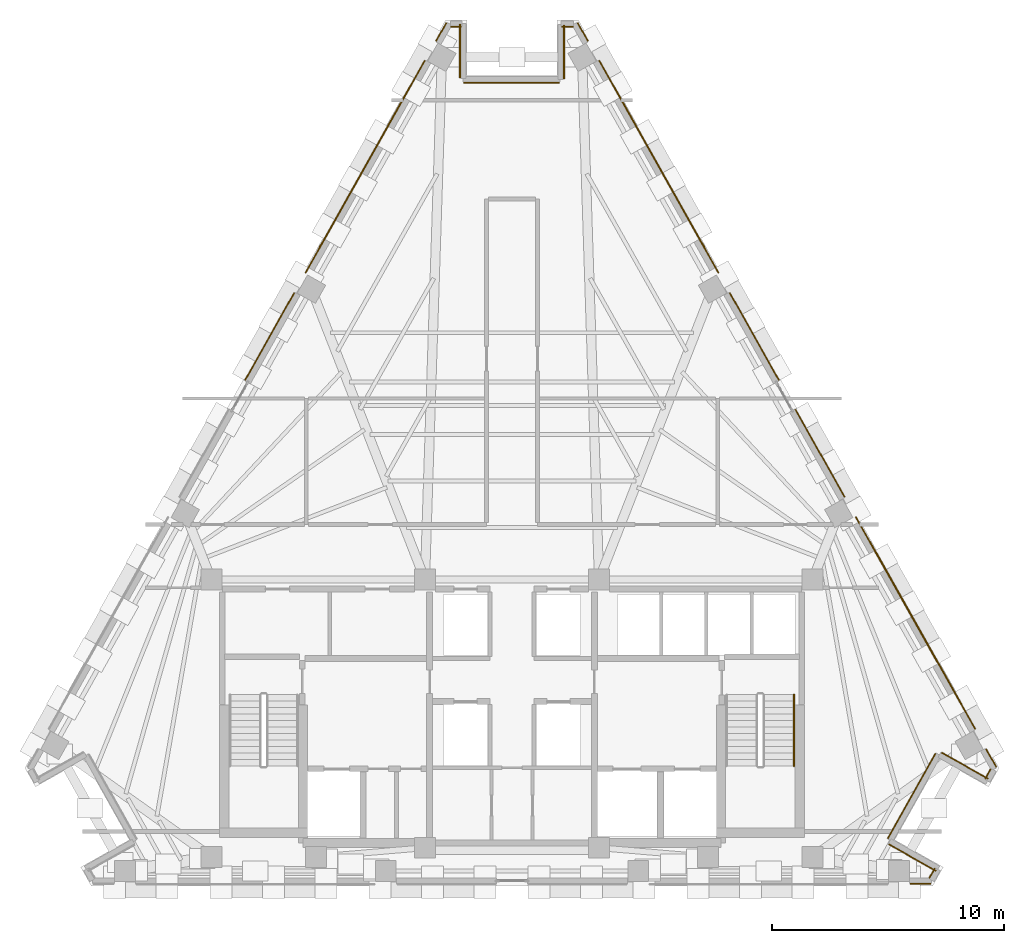
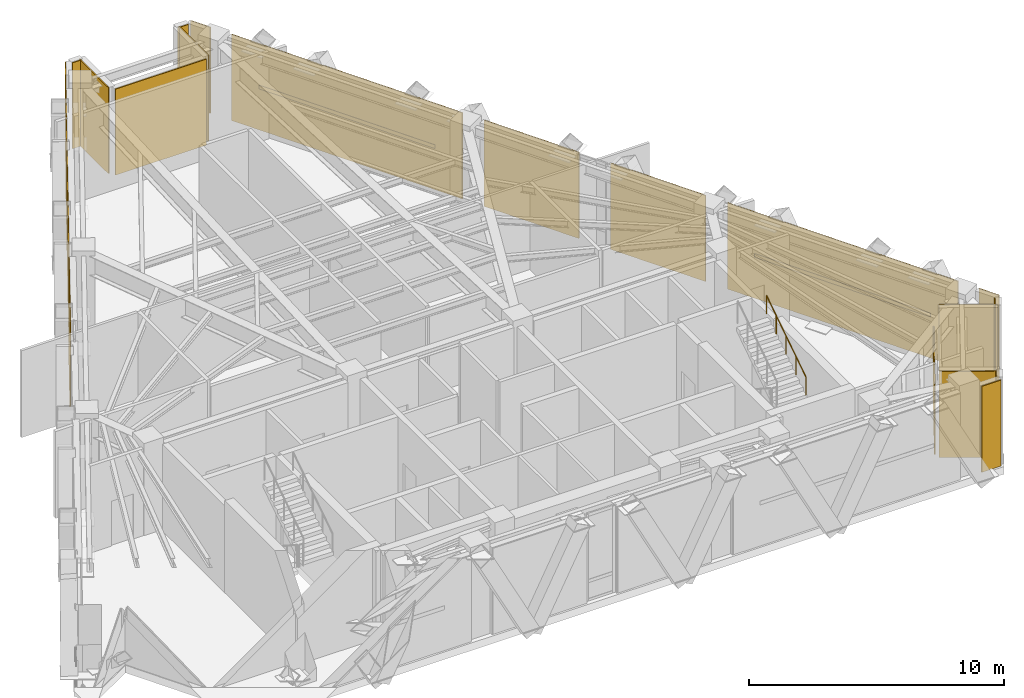
# One storey, part 11 of 11: 20 coverings, 3 shading devices, 1 railing.
"""IFC4 building model written with IfcOpenShell, lengths in metres."""

from ifc_helpers import new_model, si_unit, direction, frame, origin, origin_2d, place, context, subcontext, project, spatial, polyline, rectangle, circle, outline, extrude, material, layer, layer_set, material_profile, profile_set, type_object, element, save


model = new_model("IFC4")

# Units and contexts
model_context = context("Model", 3, precision=1e-05, world=origin(), true_north=direction((0.0, 1.0)))
body_context = subcontext(model_context, "Body", "Model", "MODEL_VIEW")
ifc_project = project(units=[si_unit("LENGTHUNIT", "METRE"), si_unit("AREAUNIT", "SQUARE_METRE"), si_unit("VOLUMEUNIT", "CUBIC_METRE"), si_unit("PLANEANGLEUNIT", "RADIAN"), si_unit("MASSUNIT", "GRAM", prefix="KILO")], contexts=[model_context])

# Site, building, storey
site_placement = place(None, origin())
site = spatial("IfcSite", under=ifc_project, at=site_placement, CompositionType="ELEMENT")
building_placement = place(site_placement, origin())
building = spatial("IfcBuilding", under=site, at=building_placement, Name="Quenlor Broadcast Tower", CompositionType="ELEMENT")
storey_placement = place(building_placement, frame((0.0, 0.0, 179.0)))
storey = spatial("IfcBuildingStorey", under=building, at=storey_placement, Name="L49", CompositionType="ELEMENT", Elevation=179.0)

# Coverings
ifc_material_1 = material(Name="Architectural Terracotta Ceramic", Category="masonry")
ifc_layer = layer(ifc_material_1, 0.044921875)
ifc_layer_set = layer_set([ifc_layer], Name="Fluted Terracotta Rainscreen Cladding Panel")
covering_type = type_object("IfcCoveringType", Name="Fluted Terracotta Rainscreen Cladding Panel", PredefinedType="CLADDING", material=ifc_layer_set)
covering_1_placement = place(storey_placement, frame((0.0, 0.0, 0.02001953125)))
element("IfcCovering", 1, at=covering_1_placement, inside=storey, type_object=covering_type, Name="L49 Terracotta Rainscreen Cladding L49-SHD-SS0", PredefinedType="CLADDING", context=body_context, shape_type="SweptSolid", body=[
    extrude(outline(polyline([(18.035888671875, -17.886962890625), (17.160888671875, -17.886962890625), (17.160888671875, -17.931884765625), (18.035888671875, -17.931884765625), (18.035888671875, -17.886962890625)])), origin(), (0.0, 0.0, 1.0), 4.10986328125),
])
covering_2_placement = place(storey_placement, frame((0.0, 0.0, 0.02001953125)))
element("IfcCovering", 2, at=covering_2_placement, inside=storey, type_object=covering_type, Name="L49 Terracotta Rainscreen Cladding L49-SHD-NES0", PredefinedType="CLADDING", context=body_context, shape_type="SweptSolid", body=[
    extrude(outline(polyline([(2.8076171875, 19.17822265625), (3.250732421875, 18.390380859375), (3.2900390625, 18.412353515625), (2.8466796875, 19.2001953125), (2.8076171875, 19.17822265625)])), origin(), (0.0, 0.0, 1.0), 4.10986328125),
])
covering_3_placement = place(storey_placement, frame((0.0, 0.0, 0.02001953125)))
element("IfcCovering", 3, at=covering_3_placement, inside=storey, type_object=covering_type, Name="L49 Terracotta Rainscreen Cladding L49-SHD-NES1", PredefinedType="CLADDING", context=body_context, shape_type="SweptSolid", body=[
    extrude(outline(polyline([(20.402099609375, -12.10107421875), (20.845458984375, -12.888916015625), (20.884521484375, -12.866943359375), (20.44140625, -12.0791015625), (20.402099609375, -12.10107421875)])), origin(), (0.0, 0.0, 1.0), 4.10986328125),
])
covering_4_placement = place(storey_placement, frame((0.0, 0.0, 0.02001953125)))
element("IfcCovering", 4, at=covering_4_placement, inside=storey, type_object=covering_type, Name="L49 Terracotta Rainscreen Cladding L49-EW-NEA", PredefinedType="CLADDING", context=body_context, shape_type="SweptSolid", body=[
    extrude(outline(polyline([(3.735107421875, 17.5498046875), (8.87841796875, 8.406005859375), (8.917724609375, 8.427978515625), (3.7744140625, 17.572021484375), (3.735107421875, 17.5498046875)])), origin(), (0.0, 0.0, 1.0), 4.10986328125),
])
covering_5_placement = place(storey_placement, frame((0.0, 0.0, 0.02001953125)))
element("IfcCovering", 5, at=covering_5_placement, inside=storey, type_object=covering_type, Name="L49 Terracotta Rainscreen Cladding L49-EW-NEC", PredefinedType="CLADDING", context=body_context, shape_type="SweptSolid", body=[
    extrude(outline(polyline([(14.7919921875, -2.106689453125), (19.935302734375, -11.250732421875), (19.974609375, -11.228759765625), (14.831298828125, -2.084716796875), (14.7919921875, -2.106689453125)])), origin(), (0.0, 0.0, 1.0), 4.10986328125),
])
covering_6_placement = place(storey_placement, frame((0.0, 0.0, 0.02001953125)))
element("IfcCovering", 6, at=covering_6_placement, inside=storey, type_object=covering_type, Name="L49 Terracotta Rainscreen Cladding L49-NE-SP1", PredefinedType="CLADDING", context=body_context, shape_type="SweptSolid", body=[
    extrude(outline(polyline([(9.361328125, 7.54736328125), (11.47998046875, 3.78125), (11.51904296875, 3.80322265625), (9.400634765625, 7.5693359375), (9.361328125, 7.54736328125)])), origin(), (0.0, 0.0, 1.0), 4.10986328125),
])
covering_7_placement = place(storey_placement, frame((0.0, 0.0, 0.02001953125)))
element("IfcCovering", 7, at=covering_7_placement, inside=storey, type_object=covering_type, Name="L49 Terracotta Rainscreen Cladding L49-NE-SP2", PredefinedType="CLADDING", context=body_context, shape_type="SweptSolid", body=[
    extrude(outline(polyline([(12.1904296875, 2.517822265625), (14.30908203125, -1.248291015625), (14.34814453125, -1.226318359375), (12.229736328125, 2.539794921875), (12.1904296875, 2.517822265625)])), origin(), (0.0, 0.0, 1.0), 4.10986328125),
])
covering_8_placement = place(storey_placement, frame((0.0, 0.0, 0.02001953125)))
element("IfcCovering", 8, at=covering_8_placement, inside=storey, type_object=covering_type, Name="L49 Terracotta Rainscreen Cladding L49-SHD-NWS1", PredefinedType="CLADDING", context=body_context, shape_type="SweptSolid", body=[
    extrude(outline(polyline([(-3.250732421875, 18.390380859375), (-2.8076171875, 19.17822265625), (-2.8466796875, 19.2001953125), (-3.2900390625, 18.412353515625), (-3.250732421875, 18.390380859375)])), origin(), (0.0, 0.0, 1.0), 4.10986328125),
])
covering_9_placement = place(storey_placement, frame((0.0, 0.0, 0.02001953125)))
element("IfcCovering", 9, at=covering_9_placement, inside=storey, type_object=covering_type, Name="L49 Terracotta Rainscreen Cladding L49-EW-NWC", PredefinedType="CLADDING", context=body_context, shape_type="SweptSolid", body=[
    extrude(outline(polyline([(-8.87841796875, 8.406005859375), (-3.735107421875, 17.5498046875), (-3.7744140625, 17.572021484375), (-8.917724609375, 8.427978515625), (-8.87841796875, 8.406005859375)])), origin(), (0.0, 0.0, 1.0), 4.10986328125),
])
covering_10_placement = place(storey_placement, frame((0.0, 0.0, 0.02001953125)))
element("IfcCovering", 10, at=covering_10_placement, inside=storey, type_object=covering_type, Name="L49 Terracotta Rainscreen Cladding L49-NW-SP2", PredefinedType="CLADDING", context=body_context, shape_type="SweptSolid", body=[
    extrude(outline(polyline([(-11.47998046875, 3.78125), (-9.361328125, 7.54736328125), (-9.400634765625, 7.5693359375), (-11.51904296875, 3.80322265625), (-11.47998046875, 3.78125)])), origin(), (0.0, 0.0, 1.0), 4.10986328125),
])
covering_11_placement = place(storey_placement, frame((0.0, 0.0, 0.02001953125)))
element("IfcCovering", 11, at=covering_11_placement, inside=storey, type_object=covering_type, Name="L49 Terracotta Rainscreen Cladding L49-CNR-01", PredefinedType="CLADDING", context=body_context, shape_type="SweptSolid", body=[
    extrude(outline(polyline([(18.284912109375, -17.329833984375), (16.245361328125, -16.1826171875), (16.223388671875, -16.2216796875), (18.262939453125, -17.368896484375), (18.284912109375, -17.329833984375)])), origin(), (0.0, 0.0, 1.0), 4.10986328125),
])
covering_12_placement = place(storey_placement, frame((0.0, 0.0, 0.02001953125)))
element("IfcCovering", 12, at=covering_12_placement, inside=storey, type_object=covering_type, Name="L49 Terracotta Rainscreen Cladding L49-CNR-02", PredefinedType="CLADDING", context=body_context, shape_type="SweptSolid", body=[
    extrude(outline(polyline([(16.2109375, -15.954345703125), (18.264892578125, -12.302734375), (18.225830078125, -12.28076171875), (16.171630859375, -15.932373046875), (16.2109375, -15.954345703125)])), origin(), (0.0, 0.0, 1.0), 3.18603515625),
])
covering_13_placement = place(storey_placement, frame((0.0, 0.0, 0.02001953125)))
element("IfcCovering", 13, at=covering_13_placement, inside=storey, type_object=covering_type, Name="L49 Terracotta Rainscreen Cladding L49-CNR-03", PredefinedType="CLADDING", context=body_context, shape_type="SweptSolid", body=[
    extrude(outline(polyline([(18.493408203125, -12.268310546875), (20.497802734375, -13.39599609375), (20.52001953125, -13.356689453125), (18.515380859375, -12.22900390625), (18.493408203125, -12.268310546875)])), origin(), (0.0, 0.0, 1.0), 4.10986328125),
])
covering_14_placement = place(storey_placement, frame((0.0, 0.0, 0.02001953125)))
element("IfcCovering", 14, at=covering_14_placement, inside=storey, type_object=covering_type, Name="L49 Terracotta Rainscreen Cladding L49-CNR-04", PredefinedType="CLADDING", context=body_context, shape_type="SweptSolid", body=[
    extrude(outline(polyline([(20.40576171875, -13.39208984375), (20.64306640625, -12.970458984375), (20.60400390625, -12.948486328125), (20.36669921875, -13.3701171875), (20.40576171875, -13.39208984375)])), origin(), (0.0, 0.0, 1.0), 4.10986328125),
])
covering_15_placement = place(storey_placement, frame((0.0, 0.0, 0.02001953125)))
element("IfcCovering", 15, at=covering_15_placement, inside=storey, type_object=covering_type, Name="L49 Terracotta Rainscreen Cladding L49-CNR-06", PredefinedType="CLADDING", context=body_context, shape_type="SweptSolid", body=[
    extrude(outline(polyline([(2.62841796875, 19.0400390625), (2.13623046875, 19.0400390625), (2.13623046875, 18.9951171875), (2.62841796875, 18.9951171875), (2.62841796875, 19.0400390625)])), origin(), (0.0, 0.0, 1.0), 4.10986328125),
])
covering_16_placement = place(storey_placement, frame((0.0, 0.0, 0.02001953125)))
element("IfcCovering", 16, at=covering_16_placement, inside=storey, type_object=covering_type, Name="L49 Terracotta Rainscreen Cladding L49-CNR-07", PredefinedType="CLADDING", context=body_context, shape_type="SweptSolid", body=[
    extrude(outline(polyline([(2.21826171875, 19.08203125), (2.21826171875, 16.781982421875), (2.26318359375, 16.781982421875), (2.26318359375, 19.08203125), (2.21826171875, 19.08203125)])), origin(), (0.0, 0.0, 1.0), 4.10986328125),
])
covering_17_placement = place(storey_placement, frame((0.0, 0.0, 0.02001953125)))
element("IfcCovering", 17, at=covering_17_placement, inside=storey, type_object=covering_type, Name="L49 Terracotta Rainscreen Cladding L49-CNR-08", PredefinedType="CLADDING", context=body_context, shape_type="SweptSolid", body=[
    extrude(outline(polyline([(2.0361328125, 16.639892578125), (-2.076171875, 16.639892578125), (-2.076171875, 16.594970703125), (2.0361328125, 16.594970703125), (2.0361328125, 16.639892578125)])), origin(), (0.0, 0.0, 1.0), 4.10986328125),
])
covering_18_placement = place(storey_placement, frame((0.0, 0.0, 0.02001953125)))
element("IfcCovering", 18, at=covering_18_placement, inside=storey, type_object=covering_type, Name="L49 Terracotta Rainscreen Cladding L49-CNR-09", PredefinedType="CLADDING", context=body_context, shape_type="SweptSolid", body=[
    extrude(outline(polyline([(-2.21826171875, 16.822021484375), (-2.21826171875, 19.1220703125), (-2.26318359375, 19.1220703125), (-2.26318359375, 16.822021484375), (-2.21826171875, 16.822021484375)])), origin(), (0.0, 0.0, 1.0), 4.10986328125),
])
covering_19_placement = place(storey_placement, frame((0.0, 0.0, 0.02001953125)))
element("IfcCovering", 19, at=covering_19_placement, inside=storey, type_object=covering_type, Name="L49 Terracotta Rainscreen Cladding L49-CNR-10", PredefinedType="CLADDING", context=body_context, shape_type="SweptSolid", body=[
    extrude(outline(polyline([(-2.17626953125, 19.0400390625), (-2.62841796875, 19.0400390625), (-2.62841796875, 18.9951171875), (-2.17626953125, 18.9951171875), (-2.17626953125, 19.0400390625)])), origin(), (0.0, 0.0, 1.0), 4.10986328125),
])
covering_20_placement = place(storey_placement, frame((0.0, 0.0, 0.02001953125)))
element("IfcCovering", 20, at=covering_20_placement, inside=storey, type_object=covering_type, Name="L49 Terracotta Rainscreen Cladding L49-CNR-18", PredefinedType="CLADDING", context=body_context, shape_type="SweptSolid", body=[
    extrude(outline(polyline([(17.99853515625, -17.671630859375), (18.234130859375, -17.2529296875), (18.19482421875, -17.23095703125), (17.959228515625, -17.649658203125), (17.99853515625, -17.671630859375)])), origin(), (0.0, 0.0, 1.0), 4.10986328125),
])

# Railing
ifc_material_2 = material(Name="Anodised Aluminium", Category="aluminium")
railing_type = type_object("IfcRailingType", Name="Stainless Aluminium Wall Handrail 900", PredefinedType="HANDRAIL", material=ifc_material_2)
railing_placement = place(storey_placement, frame((12.14990234375, -12.830078125, 2.38330078125)))
element("IfcRailing", 21, at=railing_placement, inside=storey, type_object=railing_type, Name="L49 ST-2 stair handrail 2", PredefinedType="HANDRAIL", context=body_context, shape_type="SweptSolid", body=[
    extrude(circle(Radius=0.02392578125, at=origin_2d()), frame((0.0, 0.0, 0.8759765625), z_axis=(0.0, 0.836633000464, 0.547763838287), x_axis=(-1.0, 0.0, 0.0)), (0.0, 0.0, 1.0), 3.681396484375),
    extrude(circle(Radius=0.02099609375, at=origin_2d()), origin(), (0.0, 0.0, 1.0), 0.851806640625),
    extrude(circle(Radius=0.02099609375, at=origin_2d()), frame((0.0, 0.77001953125, 0.504150390625)), (0.0, 0.0, 1.0), 0.851806640625),
    extrude(circle(Radius=0.02099609375, at=origin_2d()), frame((0.0, 1.5400390625, 1.00830078125)), (0.0, 0.0, 1.0), 0.851806640625),
    extrude(circle(Radius=0.02099609375, at=origin_2d()), frame((0.0, 2.31005859375, 1.512451171875)), (0.0, 0.0, 1.0), 0.851806640625),
    extrude(circle(Radius=0.02099609375, at=origin_2d()), frame((0.0, 3.080078125, 2.0166015625)), (0.0, 0.0, 1.0), 0.851806640625),
])

# Shading devices
ifc_material_3 = material(Name="Architectural Terracotta Ceramic", Category="masonry")
ifc_material_profile = material_profile(ifc_material_3, rectangle(XDim=0.06005859375, YDim=0.179931640625, at=origin_2d()))
ifc_profile_set = profile_set([ifc_material_profile], Name="Architectural Terracotta Ceramic LVR60x180")
shading_device_type = type_object("IfcShadingDeviceType", Name="Terracotta Acoustic Plant Weather Louvre 180", PredefinedType="JALOUSIE", material=ifc_profile_set)
shading_device_1_placement = place(storey_placement, frame((4.36376953125, 16.485107421875, 2.074951171875), z_axis=(0.490268467102, -0.871571471634, 0.0), x_axis=(0.871571471634, 0.490268467102, 0.0)))
element("IfcShadingDevice", 22, at=shading_device_1_placement, inside=storey, type_object=shading_device_type, Name="L49 Plant Weather Louvre L49-LV-NEA", PredefinedType="JALOUSIE", context=body_context, shape_type="SweptSolid", body=[
    extrude(rectangle(XDim=0.06005859375, YDim=0.179931640625, at=origin_2d()), origin(), (0.0, 0.0, 1.0), 8.018798828125),
])
shading_device_2_placement = place(storey_placement, frame((15.420654296875, -3.17138671875, 2.074951171875), z_axis=(0.490255457786, -0.871578789388, 0.0), x_axis=(0.871578789388, 0.490255457786, 0.0)))
element("IfcShadingDevice", 23, at=shading_device_2_placement, inside=storey, type_object=shading_device_type, Name="L49 Plant Weather Louvre L49-LV-NEC", PredefinedType="JALOUSIE", context=body_context, shape_type="SweptSolid", body=[
    extrude(rectangle(XDim=0.06005859375, YDim=0.179931640625, at=origin_2d()), origin(), (0.0, 0.0, 1.0), 8.01904296875),
])
shading_device_3_placement = place(storey_placement, frame((-8.295166015625, 9.49609375, 2.074951171875), z_axis=(0.490268467102, 0.871571471634, 0.0), x_axis=(-0.871571471634, 0.490268467102, 0.0)))
element("IfcShadingDevice", 24, at=shading_device_3_placement, inside=storey, type_object=shading_device_type, Name="L49 Plant Weather Louvre L49-LV-NWC", PredefinedType="JALOUSIE", context=body_context, shape_type="SweptSolid", body=[
    extrude(rectangle(XDim=0.06005859375, YDim=0.179931640625, at=origin_2d()), origin(), (0.0, 0.0, 1.0), 8.018798828125),
])

save(model, "model.ifc")
